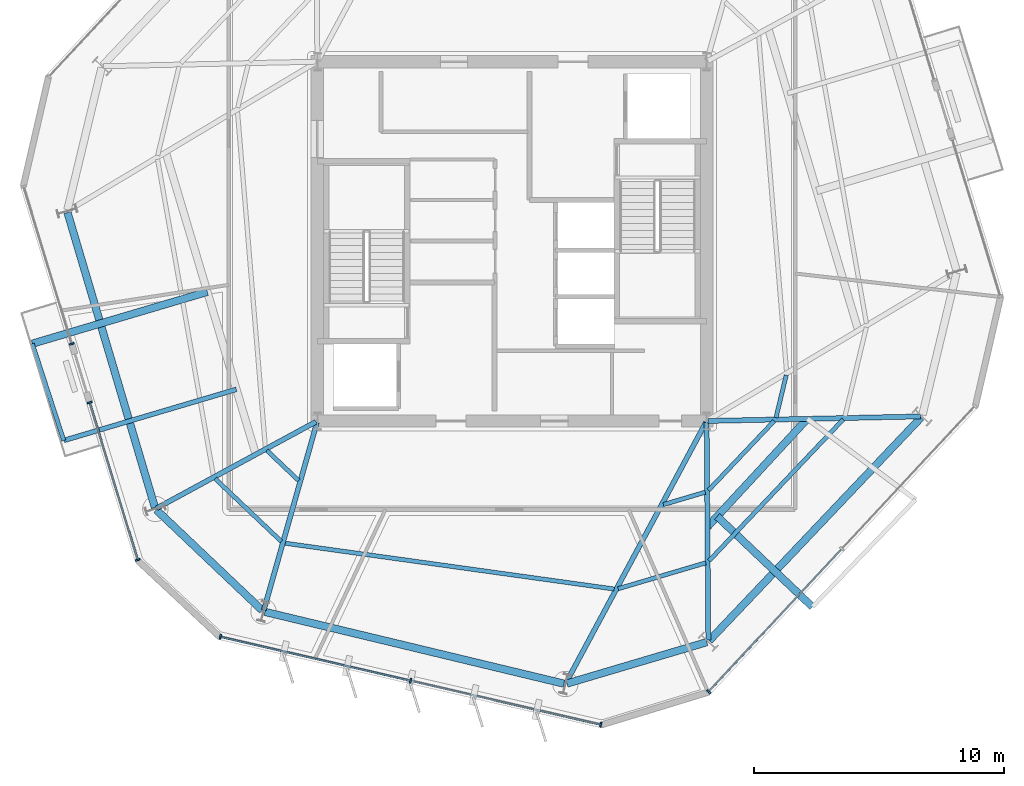
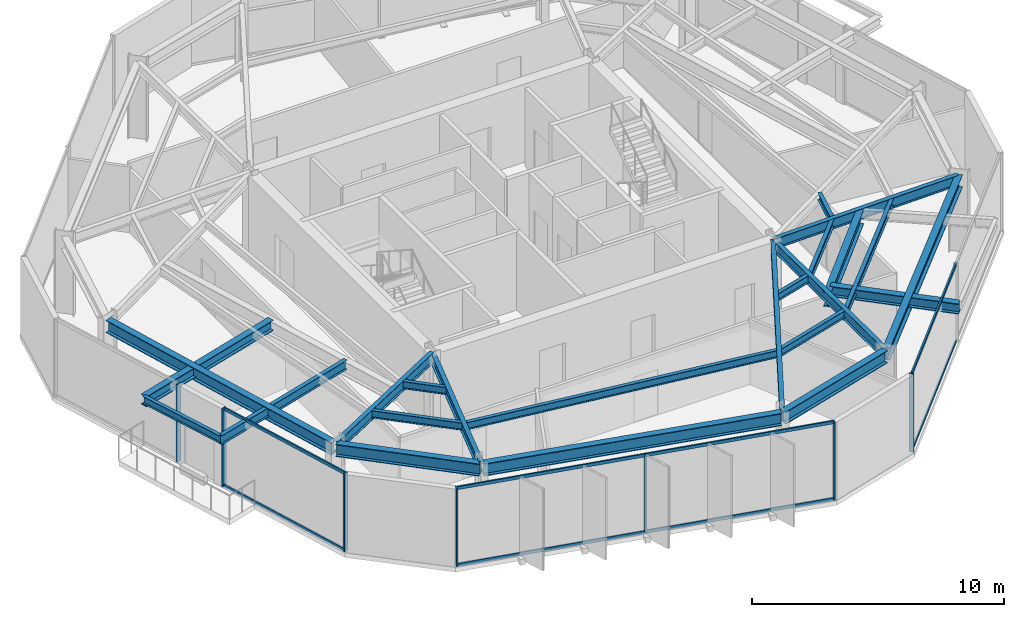
# One storey, part 2 of 11: 23 beams, 15 members, 4 elements without a shape of their own.
"""IFC4 building model written with IfcOpenShell, lengths in metres."""

from ifc_helpers import new_model, si_unit, direction, frame, origin, origin_2d, place, context, subcontext, project, spatial, rectangle, i_section, extrude, material, layer, layer_set, material_profile, profile_set, type_object, element, aggregate, save


model = new_model("IFC4")

# Units and contexts
model_context = context("Model", 3, precision=1e-05, world=origin(), true_north=direction((0.0, 1.0)))
body_context = subcontext(model_context, "Body", "Model", "MODEL_VIEW")
ifc_project = project(units=[si_unit("LENGTHUNIT", "METRE"), si_unit("AREAUNIT", "SQUARE_METRE"), si_unit("VOLUMEUNIT", "CUBIC_METRE"), si_unit("PLANEANGLEUNIT", "RADIAN"), si_unit("MASSUNIT", "GRAM", prefix="KILO")], contexts=[model_context])

# Site, building, storey
site_placement = place(None, origin())
site = spatial("IfcSite", under=ifc_project, at=site_placement, CompositionType="ELEMENT")
building_placement = place(site_placement, origin())
building = spatial("IfcBuilding", under=site, at=building_placement, Name="Kranzbogen Civic Tower", CompositionType="ELEMENT")
storey_placement = place(building_placement, frame((0.0, 0.0, 212.800048828125)))
storey = spatial("IfcBuildingStorey", under=building, at=storey_placement, Name="L51", CompositionType="ELEMENT", Elevation=212.800048828125)

# Beam
ifc_material_1 = material(Name="Steel S355", Category="steel")
ifc_material_profile_1 = material_profile(ifc_material_1, i_section(OverallWidth=0.18994140625, OverallDepth=0.449951171875, WebThickness=0.009521484375, FlangeThickness=0.0146484375, at=origin_2d()), Name="IPE 450")
ifc_profile_set_1 = profile_set([ifc_material_profile_1], Name="Steel S355")
beam_type_1 = type_object("IfcBeamType", Name="Braced Terrace Edge Beam IPE 450", PredefinedType="BEAM", material=ifc_profile_set_1)
beam_1_placement = place(storey_placement, frame((13.955078125, 19.069091796875, 3.52490234375), z_axis=(-0.958787530176, -0.284124043298, 0.0), x_axis=(0.284124043298, -0.958787530176, 0.0)))
element("IfcBeam", 1, at=beam_1_placement, inside=storey, type_object=beam_type_1, Name="L52 back-spanned terrace beam L52-TB2-2", PredefinedType="BEAM", context=body_context, shape_type="SweptSolid", body=[
    extrude(i_section(OverallWidth=0.18994140625, OverallDepth=0.449951171875, WebThickness=0.009521484375, FlangeThickness=0.0146484375, at=origin_2d()), origin(), (0.0, 0.0, 1.0), 7.21533203125),
])

# Curtain wall, member
ifc_material_2 = material(Name="Pale Anodised Aluminium", Category="aluminium")
ifc_layer = layer(ifc_material_2, 0.219970703125, Name="Pale Anodised Aluminium")
ifc_layer_set = layer_set([ifc_layer], Name="Pale Anodised Aluminium")
curtain_wall_type = type_object("IfcCurtainWallType", Name="Zone 3 Stick Curtain Wall System CW-04", PredefinedType="USERDEFINED", material=ifc_layer_set)
curtain_wall_1_placement = place(storey_placement, origin())
curtain_wall_1 = element("IfcCurtainWall", 2, at=curtain_wall_1_placement, inside=storey, type_object=curtain_wall_type, Name="L51 curtain wall CW-L51-F3-S1", ObjectType="STICK CURTAIN WALL", PredefinedType="USERDEFINED")
ifc_material_profile_2 = material_profile(ifc_material_2, rectangle(XDim=0.070068359375, YDim=0.199951171875, at=origin_2d()), Name="ALU-M 70x200")
ifc_profile_set_2 = profile_set([ifc_material_profile_2], Name="Pale Anodised Aluminium")
member_type_1 = type_object("IfcMemberType", Name="Curtain Wall Mullion ALU-M 70x200", PredefinedType="MULLION", material=ifc_profile_set_2)
member_1_placement = place(storey_placement, frame((7.358154296875, 20.892578125, 0.0), z_axis=(0.0, 0.0, 1.0), x_axis=(0.292321628934, -0.956320064235, 0.0)))
member_1 = element("IfcMember", 3, at=member_1_placement, type_object=member_type_1, Name="CW-04 mullion 2", PredefinedType="MULLION", context=body_context, shape_type="SweptSolid", body=[
    extrude(rectangle(XDim=0.070068359375, YDim=0.199951171875, at=origin_2d()), origin(), (0.0, 0.0, 1.0), 3.780029296875),
])
aggregate(curtain_wall_1, [member_1])

# Curtain wall, members
curtain_wall_2_placement = place(storey_placement, origin())
curtain_wall_2 = element("IfcCurtainWall", 4, at=curtain_wall_2_placement, inside=storey, type_object=curtain_wall_type, Name="L51 curtain wall CW-L51-F3-S2", ObjectType="STICK CURTAIN WALL", PredefinedType="USERDEFINED")
member_2_placement = place(storey_placement, frame((8.077880859375, 18.540283203125, 0.0), z_axis=(0.0, 0.0, 1.0), x_axis=(0.292321628934, -0.956320064235, 0.0)))
member_2 = element("IfcMember", 5, at=member_2_placement, type_object=member_type_1, Name="CW-04 mullion 1", PredefinedType="MULLION", context=body_context, shape_type="SweptSolid", body=[
    extrude(rectangle(XDim=0.070068359375, YDim=0.199951171875, at=origin_2d()), origin(), (0.0, 0.0, 1.0), 3.780029296875),
])
member_3_placement = place(storey_placement, frame((10.005126953125, 12.234619140625, 0.0), z_axis=(0.0, 0.0, 1.0), x_axis=(0.292321628934, -0.956320064235, 0.0)))
member_3 = element("IfcMember", 6, at=member_3_placement, type_object=member_type_1, Name="CW-04 mullion 2", PredefinedType="MULLION", context=body_context, shape_type="SweptSolid", body=[
    extrude(rectangle(XDim=0.070068359375, YDim=0.199951171875, at=origin_2d()), origin(), (0.0, 0.0, 1.0), 3.780029296875),
])

curtain_wall_3_placement = place(storey_placement, origin())
curtain_wall_3 = element("IfcCurtainWall", 7, at=curtain_wall_3_placement, inside=storey, type_object=curtain_wall_type, Name="L51 curtain wall CW-L51-F4", ObjectType="STICK CURTAIN WALL", PredefinedType="USERDEFINED")
member_4_placement = place(storey_placement, frame((13.311279296875, 9.15234375, 0.0), z_axis=(0.0, 0.0, 1.0), x_axis=(0.974365439579, -0.224971087375, 0.0)))
member_4 = element("IfcMember", 8, at=member_4_placement, type_object=member_type_1, Name="CW-04 mullion 1", PredefinedType="MULLION", context=body_context, shape_type="SweptSolid", body=[
    extrude(rectangle(XDim=0.070068359375, YDim=0.199951171875, at=origin_2d()), origin(), (0.0, 0.0, 1.0), 3.780029296875),
])
member_5_placement = place(storey_placement, frame((20.93505859375, 7.39208984375, 0.0), z_axis=(0.0, 0.0, 1.0), x_axis=(0.974365439579, -0.224971087375, 0.0)))
member_5 = element("IfcMember", 9, at=member_5_placement, type_object=member_type_1, Name="CW-04 mullion 2", PredefinedType="MULLION", context=body_context, shape_type="SweptSolid", body=[
    extrude(rectangle(XDim=0.070068359375, YDim=0.199951171875, at=origin_2d()), origin(), (0.0, 0.0, 1.0), 3.780029296875),
])
member_6_placement = place(storey_placement, frame((28.558837890625, 5.6318359375, 0.0), z_axis=(0.0, 0.0, 1.0), x_axis=(0.974365439579, -0.224971087375, 0.0)))
member_6 = element("IfcMember", 10, at=member_6_placement, type_object=member_type_1, Name="CW-04 mullion 3", PredefinedType="MULLION", context=body_context, shape_type="SweptSolid", body=[
    extrude(rectangle(XDim=0.070068359375, YDim=0.199951171875, at=origin_2d()), origin(), (0.0, 0.0, 1.0), 3.780029296875),
])

# Curtain wall, member
curtain_wall_4_placement = place(storey_placement, origin())
curtain_wall_4 = element("IfcCurtainWall", 11, at=curtain_wall_4_placement, inside=storey, type_object=curtain_wall_type, Name="L51 curtain wall CW-L51-F5", ObjectType="STICK CURTAIN WALL", PredefinedType="USERDEFINED")
member_7_placement = place(storey_placement, frame((32.88037109375, 6.952880859375, 0.0), z_axis=(0.0, 0.0, 1.0), x_axis=(0.682007441156, 0.731345233257, 0.0)))
member_7 = element("IfcMember", 12, at=member_7_placement, type_object=member_type_1, Name="CW-04 mullion 1", PredefinedType="MULLION", context=body_context, shape_type="SweptSolid", body=[
    extrude(rectangle(XDim=0.070068359375, YDim=0.199951171875, at=origin_2d()), origin(), (0.0, 0.0, 1.0), 3.780029296875),
])

# Member
ifc_material_profile_3 = material_profile(ifc_material_2, rectangle(XDim=0.070068359375, YDim=0.14990234375, at=origin_2d()), Name="ALU-T 70x150")
ifc_profile_set_3 = profile_set([ifc_material_profile_3], Name="Pale Anodised Aluminium")
member_type_2 = type_object("IfcMemberType", Name="Curtain Wall Transom ALU-T 70x150", PredefinedType="USERDEFINED", material=ifc_profile_set_3)
member_8_placement = place(storey_placement, frame((8.08642578125, 18.51171875, 0.030029296875), z_axis=(0.292352386185, -0.956310662019, 0.0), x_axis=(0.956310662019, 0.292352386185, 0.0)))
member_8 = element("IfcMember", 13, at=member_8_placement, type_object=member_type_2, Name="CW-04 transom 1.1", ObjectType="TRANSOM", PredefinedType="USERDEFINED", context=body_context, shape_type="SweptSolid", body=[
    extrude(rectangle(XDim=0.070068359375, YDim=0.14990234375, at=origin_2d()), origin(), (0.0, 0.0, 1.0), 6.53369140625),
])

member_9_placement = place(storey_placement, frame((8.08642578125, 18.51171875, 3.75), z_axis=(0.292352386185, -0.956310662019, 0.0), x_axis=(0.956310662019, 0.292352386185, 0.0)))
member_9 = element("IfcMember", 14, at=member_9_placement, type_object=member_type_2, Name="CW-04 transom 1.2", ObjectType="TRANSOM", PredefinedType="USERDEFINED", context=body_context, shape_type="SweptSolid", body=[
    extrude(rectangle(XDim=0.070068359375, YDim=0.14990234375, at=origin_2d()), origin(), (0.0, 0.0, 1.0), 6.53369140625),
])

aggregate(curtain_wall_2, [member_2, member_3, member_8, member_9])

member_10_placement = place(storey_placement, frame((13.340576171875, 9.1455078125, 0.030029296875), z_axis=(0.974362570015, -0.224983515295, 0.0), x_axis=(0.224983515295, 0.974362570015, 0.0)))
member_10 = element("IfcMember", 15, at=member_10_placement, type_object=member_type_2, Name="CW-04 transom 1.1", ObjectType="TRANSOM", PredefinedType="USERDEFINED", context=body_context, shape_type="SweptSolid", body=[
    extrude(rectangle(XDim=0.070068359375, YDim=0.14990234375, at=origin_2d()), origin(), (0.0, 0.0, 1.0), 7.76416015625),
])

member_11_placement = place(storey_placement, frame((13.340576171875, 9.1455078125, 3.75), z_axis=(0.974362570015, -0.224983515295, 0.0), x_axis=(0.224983515295, 0.974362570015, 0.0)))
member_11 = element("IfcMember", 16, at=member_11_placement, type_object=member_type_2, Name="CW-04 transom 1.2", ObjectType="TRANSOM", PredefinedType="USERDEFINED", context=body_context, shape_type="SweptSolid", body=[
    extrude(rectangle(XDim=0.070068359375, YDim=0.14990234375, at=origin_2d()), origin(), (0.0, 0.0, 1.0), 7.76416015625),
])

member_12_placement = place(storey_placement, frame((20.964111328125, 7.38525390625, 0.030029296875), z_axis=(0.974364161573, -0.224976622436, 0.0), x_axis=(0.224976622436, 0.974364161573, 0.0)))
member_12 = element("IfcMember", 17, at=member_12_placement, type_object=member_type_2, Name="CW-04 transom 2.1", ObjectType="TRANSOM", PredefinedType="USERDEFINED", context=body_context, shape_type="SweptSolid", body=[
    extrude(rectangle(XDim=0.070068359375, YDim=0.14990234375, at=origin_2d()), origin(), (0.0, 0.0, 1.0), 7.764404296875),
])

member_13_placement = place(storey_placement, frame((20.964111328125, 7.38525390625, 3.75), z_axis=(0.974364161573, -0.224976622436, 0.0), x_axis=(0.224976622436, 0.974364161573, 0.0)))
member_13 = element("IfcMember", 18, at=member_13_placement, type_object=member_type_2, Name="CW-04 transom 2.2", ObjectType="TRANSOM", PredefinedType="USERDEFINED", context=body_context, shape_type="SweptSolid", body=[
    extrude(rectangle(XDim=0.070068359375, YDim=0.14990234375, at=origin_2d()), origin(), (0.0, 0.0, 1.0), 7.764404296875),
])

aggregate(curtain_wall_3, [member_4, member_5, member_6, member_10, member_11, member_12, member_13])

member_14_placement = place(storey_placement, frame((32.90087890625, 6.974853515625, 0.030029296875), z_axis=(0.682007848151, 0.731344853718, 0.0), x_axis=(-0.731344853718, 0.682007848151, 0.0)))
member_14 = element("IfcMember", 19, at=member_14_placement, type_object=member_type_2, Name="CW-04 transom 1.1", ObjectType="TRANSOM", PredefinedType="USERDEFINED", context=body_context, shape_type="SweptSolid", body=[
    extrude(rectangle(XDim=0.070068359375, YDim=0.14990234375, at=origin_2d()), origin(), (0.0, 0.0, 1.0), 7.76416015625),
])

member_15_placement = place(storey_placement, frame((32.90087890625, 6.974853515625, 3.75), z_axis=(0.682007848151, 0.731344853718, 0.0), x_axis=(-0.731344853718, 0.682007848151, 0.0)))
member_15 = element("IfcMember", 20, at=member_15_placement, type_object=member_type_2, Name="CW-04 transom 1.2", ObjectType="TRANSOM", PredefinedType="USERDEFINED", context=body_context, shape_type="SweptSolid", body=[
    extrude(rectangle(XDim=0.070068359375, YDim=0.14990234375, at=origin_2d()), origin(), (0.0, 0.0, 1.0), 7.76416015625),
])

aggregate(curtain_wall_4, [member_7, member_14, member_15])

# Beams
ifc_material_profile_4 = material_profile(ifc_material_1, i_section(OverallWidth=0.300048828125, OverallDepth=0.5, WebThickness=0.014404296875, FlangeThickness=0.028076171875, at=origin_2d()), Name="HEB 500")
ifc_profile_set_4 = profile_set([ifc_material_profile_4], Name="Steel S355")
beam_type_2 = type_object("IfcBeamType", Name="Perimeter Tube Spandrel Beam HEB 500", PredefinedType="SPANDREL", material=ifc_profile_set_4)
beam_2_placement = place(storey_placement, frame((12.7890625, 22.97607421875, 3.5), z_axis=(-0.958815623691, -0.284029223438, 0.0), x_axis=(0.284029223438, -0.958815623691, 0.0)))
element("IfcBeam", 21, at=beam_2_placement, inside=storey, type_object=beam_type_2, Name="L52 back-spanned terrace beam L52-TB2-1", PredefinedType="SPANDREL", context=body_context, shape_type="SweptSolid", body=[
    extrude(i_section(OverallWidth=0.300048828125, OverallDepth=0.5, WebThickness=0.014404296875, FlangeThickness=0.028076171875, at=origin_2d()), origin(), (0.0, 0.0, 1.0), 7.313232421875),
])
beam_3_placement = place(storey_placement, frame((33.220947265625, 13.97607421875, 3.469970703125), z_axis=(0.725398949825, -0.688328674103, 0.0), x_axis=(0.688328674103, 0.725398949825, 0.0)))
element("IfcBeam", 22, at=beam_3_placement, inside=storey, type_object=beam_type_2, Name="L52 back-spanned terrace beam L52-ST-1", PredefinedType="SPANDREL", context=body_context, shape_type="SweptSolid", body=[
    extrude(i_section(OverallWidth=0.300048828125, OverallDepth=0.5, WebThickness=0.014404296875, FlangeThickness=0.028076171875, at=origin_2d()), origin(), (0.0, 0.0, 1.0), 5.26220703125),
])
ifc_material_profile_5 = material_profile(ifc_material_1, i_section(OverallWidth=0.300048828125, OverallDepth=0.60009765625, WebThickness=0.015380859375, FlangeThickness=0.030029296875, at=origin_2d()), Name="HEB 600")
ifc_profile_set_5 = profile_set([ifc_material_profile_5], Name="Steel S355")
beam_type_3 = type_object("IfcBeamType", Name="Perimeter Tube Spandrel Beam HEB 600", PredefinedType="SPANDREL", material=ifc_profile_set_5)
beam_4_placement = place(storey_placement, frame((10.7509765625, 14.235107421875, 3.47998046875), z_axis=(0.725245206788, -0.688490660816, 0.0), x_axis=(0.688490660816, 0.725245206788, 0.0)))
element("IfcBeam", 23, at=beam_4_placement, inside=storey, type_object=beam_type_3, Name="L51 perimeter spandrel beam 01", PredefinedType="SPANDREL", context=body_context, shape_type="SweptSolid", body=[
    extrude(i_section(OverallWidth=0.300048828125, OverallDepth=0.60009765625, WebThickness=0.015380859375, FlangeThickness=0.030029296875, at=origin_2d()), origin(), (0.0, 0.0, 1.0), 5.85205078125),
])
beam_5_placement = place(storey_placement, frame((15.096923828125, 10.15087890625, 3.47998046875), z_axis=(0.972377592092, -0.233413406637, 0.0), x_axis=(0.233413406637, 0.972377592092, 0.0)))
element("IfcBeam", 24, at=beam_5_placement, inside=storey, type_object=beam_type_3, Name="L51 perimeter spandrel beam 02", PredefinedType="SPANDREL", context=body_context, shape_type="SweptSolid", body=[
    extrude(i_section(OverallWidth=0.300048828125, OverallDepth=0.60009765625, WebThickness=0.015380859375, FlangeThickness=0.030029296875, at=origin_2d()), origin(), (0.0, 0.0, 1.0), 12.32568359375),
])
beam_6_placement = place(storey_placement, frame((27.197998046875, 7.277099609375, 3.47998046875), z_axis=(0.9588296723, 0.283981794341, 0.0), x_axis=(-0.283981794341, 0.9588296723, 0.0)))
element("IfcBeam", 25, at=beam_6_placement, inside=storey, type_object=beam_type_3, Name="L51 perimeter spandrel beam 03", PredefinedType="SPANDREL", context=body_context, shape_type="SweptSolid", body=[
    extrude(i_section(OverallWidth=0.300048828125, OverallDepth=0.60009765625, WebThickness=0.015380859375, FlangeThickness=0.030029296875, at=origin_2d()), origin(), (0.0, 0.0, 1.0), 5.85205078125),
])
beam_7_placement = place(storey_placement, frame((32.907958984375, 9.0, 3.47998046875), z_axis=(0.688373497874, 0.725356414065, 0.0), x_axis=(-0.725356414065, 0.688373497874, 0.0)))
element("IfcBeam", 26, at=beam_7_placement, inside=storey, type_object=beam_type_3, Name="L51 perimeter spandrel beam 04", PredefinedType="SPANDREL", context=body_context, shape_type="SweptSolid", body=[
    extrude(i_section(OverallWidth=0.300048828125, OverallDepth=0.60009765625, WebThickness=0.015380859375, FlangeThickness=0.030029296875, at=origin_2d()), origin(), (0.0, 0.0, 1.0), 12.324951171875),
])
beam_8_placement = place(storey_placement, frame((7.18896484375, 26.15087890625, 3.47998046875), z_axis=(0.284064048956, -0.958805306666, 0.0), x_axis=(0.958805306666, 0.284064048956, 0.0)))
element("IfcBeam", 27, at=beam_8_placement, inside=storey, type_object=beam_type_3, Name="L51 perimeter spandrel beam 12", PredefinedType="SPANDREL", context=body_context, shape_type="SweptSolid", body=[
    extrude(i_section(OverallWidth=0.300048828125, OverallDepth=0.60009765625, WebThickness=0.015380859375, FlangeThickness=0.030029296875, at=origin_2d()), origin(), (0.0, 0.0, 1.0), 12.32470703125),
])
ifc_material_profile_6 = material_profile(ifc_material_1, i_section(OverallWidth=0.300048828125, OverallDepth=0.699951171875, WebThickness=0.01708984375, FlangeThickness=0.031982421875, at=origin_2d()), Name="HEB 700")
ifc_profile_set_6 = profile_set([ifc_material_profile_6], Name="Steel S355")
beam_type_4 = type_object("IfcBeamType", Name="Perimeter Tube Spandrel Beam HEB 700", PredefinedType="SPANDREL", material=ifc_profile_set_6)
beam_9_placement = place(storey_placement, frame((32.83203125, 13.555908203125, 3.369873046875), z_axis=(0.678733988671, 0.734384213218, 0.0), x_axis=(-0.734384213218, 0.678733988671, 0.0)))
element("IfcBeam", 28, at=beam_9_placement, inside=storey, type_object=beam_type_4, Name="L52 balcony back-span header girder L52-ST", PredefinedType="SPANDREL", context=body_context, shape_type="SweptSolid", body=[
    extrude(i_section(OverallWidth=0.300048828125, OverallDepth=0.699951171875, WebThickness=0.01708984375, FlangeThickness=0.031982421875, at=origin_2d()), origin(), (0.0, 0.0, 1.0), 5.896240234375),
])
ifc_material_profile_7 = material_profile(ifc_material_1, i_section(OverallWidth=0.199951171875, OverallDepth=0.5, WebThickness=0.01025390625, FlangeThickness=0.01611328125, at=origin_2d()), Name="IPE 500")
ifc_profile_set_7 = profile_set([ifc_material_profile_7], Name="Steel S355")
beam_type_5 = type_object("IfcBeamType", Name="Radial Tower Floor Girder IPE 500", PredefinedType="BEAM", material=ifc_profile_set_7)
beam_10_placement = place(storey_placement, frame((10.760009765625, 14.304931640625, 3.530029296875), z_axis=(0.878919430102, 0.476970266777, 0.0), x_axis=(-0.476970266777, 0.878919430102, 0.0)))
element("IfcBeam", 29, at=beam_10_placement, inside=storey, type_object=beam_type_5, Name="L51 radial floor girder 01", PredefinedType="BEAM", context=body_context, shape_type="SweptSolid", body=[
    extrude(i_section(OverallWidth=0.199951171875, OverallDepth=0.5, WebThickness=0.01025390625, FlangeThickness=0.01611328125, at=origin_2d()), origin(), (0.0, 0.0, 1.0), 7.266845703125),
])
beam_11_placement = place(storey_placement, frame((15.054931640625, 10.222900390625, 3.530029296875), z_axis=(0.272455078988, 0.962168503919, 0.0), x_axis=(-0.962168503919, 0.272455078988, 0.0)))
element("IfcBeam", 30, at=beam_11_placement, inside=storey, type_object=beam_type_5, Name="L51 radial floor girder 02", PredefinedType="BEAM", context=body_context, shape_type="SweptSolid", body=[
    extrude(i_section(OverallWidth=0.199951171875, OverallDepth=0.5, WebThickness=0.01025390625, FlangeThickness=0.01611328125, at=origin_2d()), origin(), (0.0, 0.0, 1.0), 7.814697265625),
])
beam_12_placement = place(storey_placement, frame((27.16796875, 7.31298828125, 3.530029296875), z_axis=(0.473160413549, 0.880976289721, 0.0), x_axis=(-0.880976289721, 0.473160413549, 0.0)))
element("IfcBeam", 31, at=beam_12_placement, inside=storey, type_object=beam_type_5, Name="L51 radial floor girder 03", PredefinedType="BEAM", context=body_context, shape_type="SweptSolid", body=[
    extrude(i_section(OverallWidth=0.199951171875, OverallDepth=0.5, WebThickness=0.01025390625, FlangeThickness=0.01611328125, at=origin_2d()), origin(), (0.0, 0.0, 1.0), 11.84375),
])
beam_13_placement = place(storey_placement, frame((32.866943359375, 9.01611328125, 3.530029296875), z_axis=(-0.007667756557, 0.999970602323, 0.0), x_axis=(-0.999970602323, -0.007667756557, 0.0)))
element("IfcBeam", 32, at=beam_13_placement, inside=storey, type_object=beam_type_5, Name="L51 radial floor girder 04", PredefinedType="BEAM", context=body_context, shape_type="SweptSolid", body=[
    extrude(i_section(OverallWidth=0.199951171875, OverallDepth=0.5, WebThickness=0.01025390625, FlangeThickness=0.01611328125, at=origin_2d()), origin(), (0.0, 0.0, 1.0), 8.72412109375),
])
beam_14_placement = place(storey_placement, frame((41.373046875, 17.98291015625, 3.530029296875), z_axis=(-0.99977183191, -0.021360808018, 0.0), x_axis=(0.021360808018, -0.99977183191, 0.0)))
element("IfcBeam", 33, at=beam_14_placement, inside=storey, type_object=beam_type_5, Name="L51 radial floor girder 05", PredefinedType="BEAM", context=body_context, shape_type="SweptSolid", body=[
    extrude(i_section(OverallWidth=0.199951171875, OverallDepth=0.5, WebThickness=0.01025390625, FlangeThickness=0.01611328125, at=origin_2d()), origin(), (0.0, 0.0, 1.0), 8.514892578125),
])
ifc_material_profile_8 = material_profile(ifc_material_1, i_section(OverallWidth=0.169921875, OverallDepth=0.360107421875, WebThickness=0.008056640625, FlangeThickness=0.0126953125, at=origin_2d()), Name="IPE 360")
ifc_profile_set_8 = profile_set([ifc_material_profile_8], Name="Steel S355")
beam_type_6 = type_object("IfcBeamType", Name="Secondary Composite Floor Joist IPE 360", PredefinedType="JOIST", material=ifc_profile_set_8)
beam_15_placement = place(storey_placement, frame((13.10302734375, 15.489990234375, 3.599853515625), z_axis=(0.725300648604, -0.688432254572, 0.0), x_axis=(0.688432254572, 0.725300648604, 0.0)))
element("IfcBeam", 34, at=beam_15_placement, inside=storey, type_object=beam_type_6, Name="L51 secondary floor joist 1.01", PredefinedType="JOIST", context=body_context, shape_type="SweptSolid", body=[
    extrude(i_section(OverallWidth=0.169921875, OverallDepth=0.360107421875, WebThickness=0.008056640625, FlangeThickness=0.0126953125, at=origin_2d()), origin(), (0.0, 0.0, 1.0), 3.661865234375),
])
beam_16_placement = place(storey_placement, frame((15.179931640625, 16.616943359375, 3.599853515625), z_axis=(0.725479767774, -0.688243493649, 0.0), x_axis=(0.688243493649, 0.725479767774, 0.0)))
element("IfcBeam", 35, at=beam_16_placement, inside=storey, type_object=beam_type_6, Name="L51 secondary floor joist 2.01", PredefinedType="JOIST", context=body_context, shape_type="SweptSolid", body=[
    extrude(i_section(OverallWidth=0.169921875, OverallDepth=0.360107421875, WebThickness=0.008056640625, FlangeThickness=0.0126953125, at=origin_2d()), origin(), (0.0, 0.0, 1.0), 1.75048828125),
])
beam_17_placement = place(storey_placement, frame((15.89599609375, 12.903076171875, 3.599853515625), z_axis=(0.990445837232, -0.137902296968, 0.0), x_axis=(0.137902296968, 0.990445837232, 0.0)))
element("IfcBeam", 36, at=beam_17_placement, inside=storey, type_object=beam_type_6, Name="L51 secondary floor joist 1.02", PredefinedType="JOIST", context=body_context, shape_type="SweptSolid", body=[
    extrude(i_section(OverallWidth=0.169921875, OverallDepth=0.360107421875, WebThickness=0.008056640625, FlangeThickness=0.0126953125, at=origin_2d()), origin(), (0.0, 0.0, 1.0), 13.329345703125),
])
beam_18_placement = place(storey_placement, frame((29.25390625, 11.076904296875, 3.599853515625), z_axis=(0.958843823165, 0.283934011309, 0.0), x_axis=(-0.283934011309, 0.958843823165, 0.0)))
element("IfcBeam", 37, at=beam_18_placement, inside=storey, type_object=beam_type_6, Name="L51 secondary floor joist 1.03", PredefinedType="JOIST", context=body_context, shape_type="SweptSolid", body=[
    extrude(i_section(OverallWidth=0.169921875, OverallDepth=0.360107421875, WebThickness=0.008056640625, FlangeThickness=0.0126953125, at=origin_2d()), origin(), (0.0, 0.0, 1.0), 3.662841796875),
])
beam_19_placement = place(storey_placement, frame((31.06591796875, 14.449951171875, 3.599853515625), z_axis=(0.958871214757, 0.283841493638, 0.0), x_axis=(-0.283841493638, 0.958871214757, 0.0)))
element("IfcBeam", 38, at=beam_19_placement, inside=storey, type_object=beam_type_6, Name="L51 secondary floor joist 2.03", PredefinedType="JOIST", context=body_context, shape_type="SweptSolid", body=[
    extrude(i_section(OverallWidth=0.169921875, OverallDepth=0.360107421875, WebThickness=0.008056640625, FlangeThickness=0.0126953125, at=origin_2d()), origin(), (0.0, 0.0, 1.0), 1.751220703125),
])
beam_20_placement = place(storey_placement, frame((32.89794921875, 12.197998046875, 3.599853515625), z_axis=(0.688282381634, 0.725442873789, 0.0), x_axis=(-0.725442873789, 0.688282381634, 0.0)))
element("IfcBeam", 39, at=beam_20_placement, inside=storey, type_object=beam_type_6, Name="L51 secondary floor joist 1.04", PredefinedType="JOIST", context=body_context, shape_type="SweptSolid", body=[
    extrude(i_section(OverallWidth=0.169921875, OverallDepth=0.360107421875, WebThickness=0.008056640625, FlangeThickness=0.0126953125, at=origin_2d()), origin(), (0.0, 0.0, 1.0), 7.804931640625),
])
beam_21_placement = place(storey_placement, frame((32.876953125, 15.028076171875, 3.599853515625), z_axis=(0.688175084876, 0.725544659243, 0.0), x_axis=(-0.725544659243, 0.688175084876, 0.0)))
element("IfcBeam", 40, at=beam_21_placement, inside=storey, type_object=beam_type_6, Name="L51 secondary floor joist 2.04", PredefinedType="JOIST", context=body_context, shape_type="SweptSolid", body=[
    extrude(i_section(OverallWidth=0.169921875, OverallDepth=0.360107421875, WebThickness=0.008056640625, FlangeThickness=0.0126953125, at=origin_2d()), origin(), (0.0, 0.0, 1.0), 3.82177734375),
])
beam_22_placement = place(storey_placement, frame((35.5810546875, 17.93701171875, 3.599853515625), z_axis=(0.233631438607, 0.972325228972, 0.0), x_axis=(-0.972325228972, 0.233631438607, 0.0)))
element("IfcBeam", 41, at=beam_22_placement, inside=storey, type_object=beam_type_6, Name="L51 secondary floor joist 2.05", PredefinedType="JOIST", context=body_context, shape_type="SweptSolid", body=[
    extrude(i_section(OverallWidth=0.169921875, OverallDepth=0.360107421875, WebThickness=0.008056640625, FlangeThickness=0.0126953125, at=origin_2d()), origin(), (0.0, 0.0, 1.0), 1.750244140625),
])
beam_23_placement = place(storey_placement, frame((5.777099609375, 20.89892578125, 3.570068359375), z_axis=(0.308874956283, -0.951102655543, 0.0), x_axis=(0.951102655543, 0.308874956283, 0.0)))
element("IfcBeam", 42, at=beam_23_placement, inside=storey, type_object=beam_type_6, Name="L52 terrace outer edge trimmer L52-TB2", PredefinedType="JOIST", context=body_context, shape_type="SweptSolid", body=[
    extrude(i_section(OverallWidth=0.169921875, OverallDepth=0.360107421875, WebThickness=0.008056640625, FlangeThickness=0.0126953125, at=origin_2d()), origin(), (0.0, 0.0, 1.0), 4.079345703125),
])

save(model, "model.ifc")
